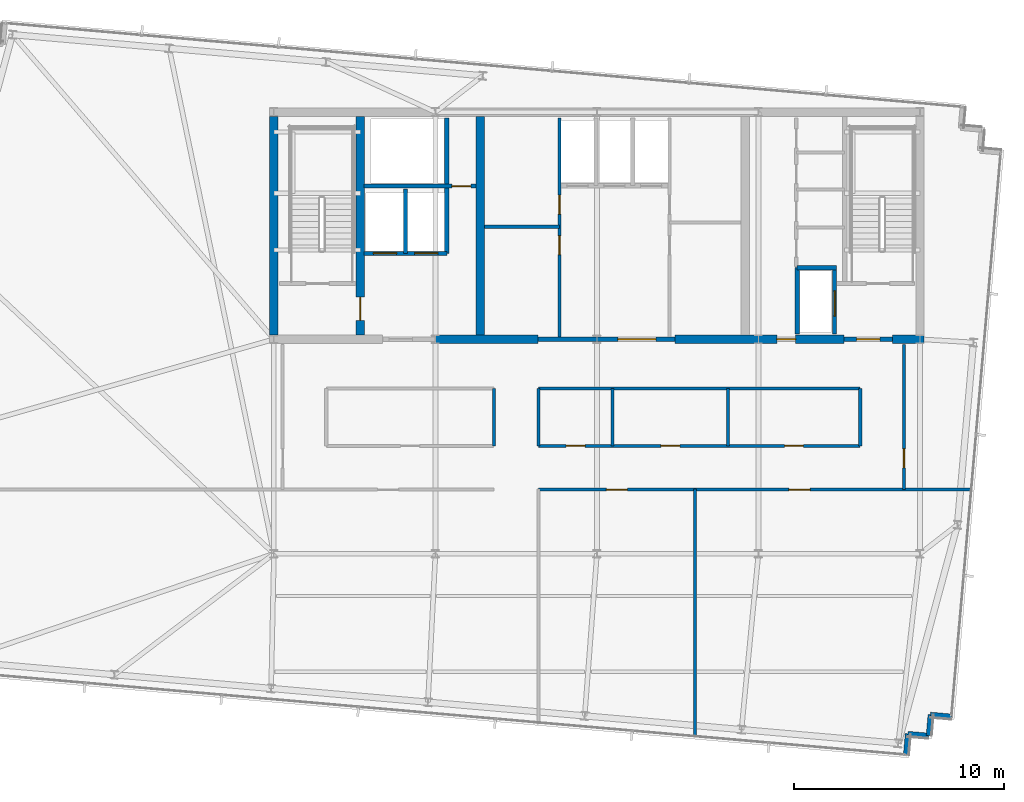
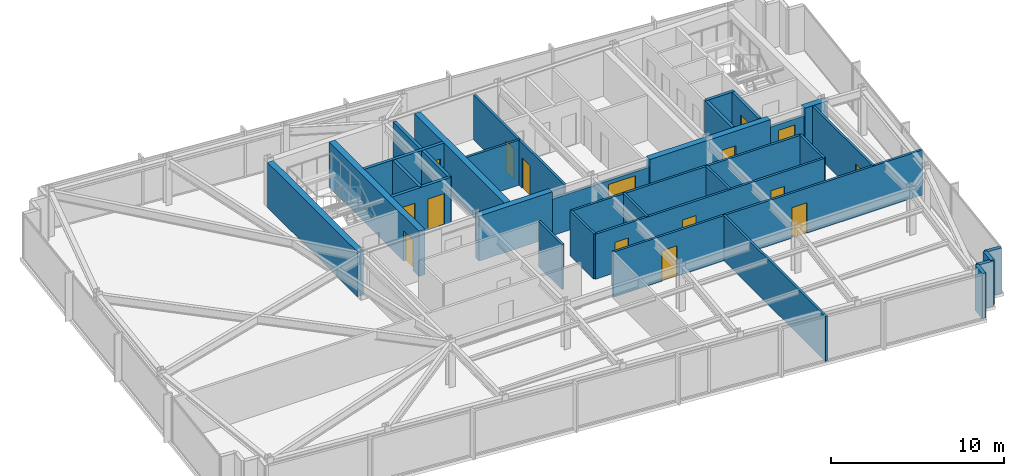
# One storey, part 27 of 32: 31 walls, 16 doors, 16 openings.
"""IFC4 building model written with IfcOpenShell, lengths in metres."""

from ifc_helpers import new_model, si_unit, direction, frame, frame_2d, origin, place, context, subcontext, project, spatial, rectangle, extrude, material, layer, layer_set, type_object, element, fill, save


model = new_model("IFC4")

# Units and contexts
model_context = context("Model", 3, precision=1e-05, world=origin(), true_north=direction((0.0, 1.0)))
body_context = subcontext(model_context, "Body", "Model", "MODEL_VIEW")
ifc_project = project(units=[si_unit("LENGTHUNIT", "METRE"), si_unit("AREAUNIT", "SQUARE_METRE"), si_unit("VOLUMEUNIT", "CUBIC_METRE"), si_unit("PLANEANGLEUNIT", "RADIAN"), si_unit("MASSUNIT", "GRAM", prefix="KILO")], contexts=[model_context])

# Site, building, storey
site_placement = place(None, origin())
site = spatial("IfcSite", under=ifc_project, at=site_placement, CompositionType="ELEMENT")
building_placement = place(site_placement, origin())
building = spatial("IfcBuilding", under=site, at=building_placement, Name="Yelkora Congress Tower", CompositionType="ELEMENT")
storey_placement = place(building_placement, frame((0.0, 0.0, 272.699951171875)))
storey = spatial("IfcBuildingStorey", under=building, at=storey_placement, Name="L76", CompositionType="ELEMENT", Elevation=272.699951171875)

# Wall
ifc_material_1 = material(Name="Concrete C50/60", Category="concrete")
ifc_layer_1 = layer(ifc_material_1, 0.39990234375)
ifc_layer_set_1 = layer_set([ifc_layer_1], Name="Concrete C50/60")
wall_type_1 = type_object("IfcWallType", Name="WALL-CORE-INT-400", PredefinedType="SHEAR", material=ifc_layer_set_1)
wall_1_placement = place(storey_placement, frame((30.719970703125, 35.39990234375, 0.0), z_axis=(0.0, 0.0, 1.0), x_axis=(1.0, 0.0, 0.0)))
element("IfcWall", 1, at=wall_1_placement, inside=storey, type_object=wall_type_1, Name="L76 Rear Core South-Center Shear Pier", PredefinedType="SHEAR", context=body_context, shape_type="SweptSolid", body=[
    extrude(rectangle(XDim=4.880126953125, YDim=0.39990234375, at=frame_2d((2.43994140625, 0.0))), origin(), (0.0, 0.0, 1.0), 3.179931640625),
])

# Wall, opening, door
wall_2_placement = place(storey_placement, frame((42.10009765625, 35.39990234375, 0.0), z_axis=(0.0, 0.0, 1.0), x_axis=(1.0, 0.0, 0.0)))
wall_2 = element("IfcWall", 2, at=wall_2_placement, inside=storey, type_object=wall_type_1, Name="L76 Rear Core South-East Shear Wall A", PredefinedType="SHEAR", context=body_context, shape_type="SweptSolid", body=[
    extrude(rectangle(XDim=8.0498046875, YDim=0.39990234375, at=frame_2d((4.02490234375, 0.0))), origin(), (0.0, 0.0, 1.0), 3.179931640625),
])
opening_1_placement = place(wall_2_placement, frame((4.85009765625, 0.0, 0.0)))
opening_1 = element("IfcOpeningElement", 3, at=opening_1_placement, cuts=wall_2, Name="Opening DR-090F6", PredefinedType="OPENING", context=body_context, shape_type="SweptSolid", body=[
    extrude(rectangle(XDim=0.89990234375, YDim=2.14990234375, at=frame_2d((0.449951171875, 1.074951171875))), frame((0.0, 0.2099609375, 0.0), z_axis=(0.0, -1.0, 0.0), x_axis=(1.0, 0.0, 0.0)), (0.0, 0.0, 1.0), 0.419921875),
])
ifc_material_2 = material(Name="Painted steel riser fire door leaf", Category="steel")
door_type_1 = type_object("IfcDoorType", Name="DOOR-FD60-900", OperationType="NOTDEFINED", PredefinedType="DOOR", material=ifc_material_2)
door_1_placement = place(opening_1_placement, origin())
door_1 = element("IfcDoor", 4, at=door_1_placement, inside=storey, type_object=door_type_1, Name="L76 Core Washroom Lobby Door", OperationType="SINGLE_SWING_RIGHT", OverallHeight=2.14990234375, OverallWidth=0.89990234375, PredefinedType="DOOR", context=body_context, shape_type="SweptSolid", body=[
    extrude(rectangle(XDim=0.89990234375, YDim=2.14990234375, at=frame_2d((0.449951171875, 1.074951171875))), frame((0.0, 0.02490234375, 0.0), z_axis=(0.0, -1.0, 0.0), x_axis=(1.0, 0.0, 0.0)), (0.0, 0.0, 1.0), 0.050048828125),
])
fill(opening_1, door_1)

# Walls
wall_3_placement = place(storey_placement, frame((52.449951171875, 35.39990234375, 0.0), z_axis=(0.0, 0.0, 1.0), x_axis=(1.0, 0.0, 0.0)))
element("IfcWall", 5, at=wall_3_placement, inside=storey, type_object=wall_type_1, Name="L76 Rear Core South-East Shear Wall B", PredefinedType="SHEAR", context=body_context, shape_type="SweptSolid", body=[
    extrude(rectangle(XDim=1.510009765625, YDim=0.39990234375, at=frame_2d((0.7548828125, 0.0))), origin(), (0.0, 0.0, 1.0), 3.179931640625),
])
wall_4_placement = place(storey_placement, frame((23.0400390625, 35.60009765625, 0.0), z_axis=(0.0, 0.0, 1.0), x_axis=(0.0, 1.0, 0.0)))
element("IfcWall", 6, at=wall_4_placement, inside=storey, type_object=wall_type_1, Name="L76 Rear Core Cross Shear Wall W", PredefinedType="SHEAR", context=body_context, shape_type="SweptSolid", body=[
    extrude(rectangle(XDim=10.39990234375, YDim=0.39990234375, at=frame_2d((5.199951171875, 0.0))), origin(), (0.0, 0.0, 1.0), 3.179931640625),
])

# Wall, opening, door
wall_5_placement = place(storey_placement, frame((27.14990234375, 35.60009765625, 0.0), z_axis=(0.0, 0.0, 1.0), x_axis=(0.0, 1.0, 0.0)))
wall_5 = element("IfcWall", 7, at=wall_5_placement, inside=storey, type_object=wall_type_1, Name="L76 Rear Core Cross Shear Wall C1", PredefinedType="SHEAR", context=body_context, shape_type="SweptSolid", body=[
    extrude(rectangle(XDim=10.39990234375, YDim=0.39990234375, at=frame_2d((5.199951171875, 0.0))), origin(), (0.0, 0.0, 1.0), 3.179931640625),
])
opening_2_placement = place(wall_5_placement, frame((0.699951171875, 0.0, 0.0)))
opening_2 = element("IfcOpeningElement", 8, at=opening_2_placement, cuts=wall_5, Name="Opening DR-110F9", PredefinedType="OPENING", context=body_context, shape_type="SweptSolid", body=[
    extrude(rectangle(XDim=1.10009765625, YDim=2.14990234375, at=frame_2d((0.550048828125, 1.074951171875))), frame((0.0, 0.2099609375, 0.0), z_axis=(0.0, -1.0, 0.0), x_axis=(1.0, 0.0, 0.0)), (0.0, 0.0, 1.0), 0.419921875),
])
ifc_material_3 = material(Name="Galvanised steel fire door leaf", Category="steel")
door_type_2 = type_object("IfcDoorType", Name="DOOR-FD90-1100", OperationType="NOTDEFINED", PredefinedType="DOOR", material=ifc_material_3)
door_2_placement = place(opening_2_placement, origin())
door_2 = element("IfcDoor", 9, at=door_2_placement, inside=storey, type_object=door_type_2, Name="L76 Firefighting Stair Transfer Door", OperationType="SINGLE_SWING_LEFT", OverallHeight=2.14990234375, OverallWidth=1.10009765625, PredefinedType="DOOR", context=body_context, shape_type="SweptSolid", body=[
    extrude(rectangle(XDim=1.10009765625, YDim=2.14990234375, at=frame_2d((0.550048828125, 1.074951171875))), frame((0.0, 0.02490234375, 0.0), z_axis=(0.0, -1.0, 0.0), x_axis=(1.0, 0.0, 0.0)), (0.0, 0.0, 1.0), 0.050048828125),
])
fill(opening_2, door_2)

# Walls
wall_6_placement = place(storey_placement, frame((32.85009765625, 35.60009765625, 0.0), z_axis=(0.0, 0.0, 1.0), x_axis=(0.0, 1.0, 0.0)))
element("IfcWall", 10, at=wall_6_placement, inside=storey, type_object=wall_type_1, Name="L76 Rear Core Cross Shear Wall C2", PredefinedType="SHEAR", context=body_context, shape_type="SweptSolid", body=[
    extrude(rectangle(XDim=10.39990234375, YDim=0.39990234375, at=frame_2d((5.199951171875, 0.0))), origin(), (0.0, 0.0, 1.0), 3.179931640625),
])
ifc_material_4 = material(Name="Concrete C40/50", Category="concrete")
ifc_layer_2 = layer(ifc_material_4, 0.239990234375)
ifc_layer_set_2 = layer_set([ifc_layer_2], Name="Concrete C40/50")
wall_type_2 = type_object("IfcWallType", Name="WALL-EXT-LIMESTONE-240", PredefinedType="SOLIDWALL", material=ifc_layer_set_2)
for number, where, z_axis, x_axis, name in (
    (11, (55.2578125, 17.458740234375, 0.0), (0.0, 0.0, 1.0), (-0.996193717496, 0.087166950281, 0.0), "L76 Serrated Corner Limestone Pier 16"),
    (12, (54.26171875, 17.5458984375, 0.0), (0.0, 0.0, 1.0), (-0.087166950281, -0.996193717496, 0.0), "L76 Serrated Corner Limestone Pier 17"),
):
    element("IfcWall", number, at=place(storey_placement, frame(where, z_axis=z_axis, x_axis=x_axis)), inside=storey, type_object=wall_type_2, Name=name, PredefinedType="SOLIDWALL", context=body_context, shape_type="SweptSolid", body=[
        extrude(rectangle(XDim=1.0, YDim=0.239990234375, at=frame_2d((0.5, 0.0))), origin(), (0.0, 0.0, 1.0), 3.179931640625),
    ])
for number, where, z_axis, x_axis, name in (
    (13, (54.174560546875, 16.5498046875, 0.0), (0.0, 0.0, 1.0), (-0.996195572005, 0.087145753297, 0.0), "L76 Serrated Corner Limestone Pier 18"),
    (14, (53.17822265625, 16.636962890625, 0.0), (0.0, 0.0, 1.0), (-0.087145753297, -0.996195572005, 0.0), "L76 Serrated Corner Limestone Pier 19"),
):
    element("IfcWall", number, at=place(storey_placement, frame(where, z_axis=z_axis, x_axis=x_axis)), inside=storey, type_object=wall_type_2, Name=name, PredefinedType="SOLIDWALL", context=body_context, shape_type="SweptSolid", body=[
        extrude(rectangle(XDim=1.000244140625, YDim=0.239990234375, at=frame_2d((0.5, 0.0))), origin(), (0.0, 0.0, 1.0), 3.179931640625),
    ])
ifc_material_5 = material(Name="Acoustic metal-stud gypsum partition", Category="gypsum")
ifc_layer_3 = layer(ifc_material_5, 0.14990234375)
ifc_layer_set_3 = layer_set([ifc_layer_3], Name="Acoustic metal-stud gypsum partition")
wall_type_3 = type_object("IfcWallType", Name="WALL-INT-150-NR", PredefinedType="PARTITIONING", material=ifc_layer_set_3)
wall_7_placement = place(storey_placement, frame((43.06201171875, 16.4580078125, 0.0), z_axis=(0.0, 0.0, 1.0), x_axis=(0.0, 1.0, 0.0)))
element("IfcWall", 15, at=wall_7_placement, inside=storey, type_object=wall_type_3, Name="L76 Partition Wall 25", PredefinedType="PARTITIONING", context=body_context, shape_type="SweptSolid", body=[
    extrude(rectangle(XDim=11.81201171875, YDim=0.14990234375, at=frame_2d((5.906005859375, 0.0))), origin(), (0.0, 0.0, 1.0), 3.179931640625),
])

# Wall, openings, doors
wall_8_placement = place(storey_placement, frame((35.6201171875, 28.25, 0.0), z_axis=(0.0, 0.0, 1.0), x_axis=(1.0, 0.0, 0.0)))
wall_8 = element("IfcWall", 16, at=wall_8_placement, inside=storey, type_object=wall_type_3, Name="L76 South Spine Wall East", PredefinedType="PARTITIONING", context=body_context, shape_type="SweptSolid", body=[
    extrude(rectangle(XDim=20.64208984375, YDim=0.14990234375, at=frame_2d((10.321044921875, 0.0))), origin(), (0.0, 0.0, 1.0), 3.179931640625),
])
opening_3_placement = place(wall_8_placement, frame((3.22607421875, 0.0, 0.0)))
opening_3 = element("IfcOpeningElement", 17, at=opening_3_placement, cuts=wall_8, Name="Opening DR-100N", PredefinedType="OPENING", context=body_context, shape_type="SweptSolid", body=[
    extrude(rectangle(XDim=1.0, YDim=2.14990234375, at=frame_2d((0.5, 1.074951171875))), frame((0.0, 0.0849609375, 0.0), z_axis=(0.0, -1.0, 0.0), x_axis=(1.0, 0.0, 0.0)), (0.0, 0.0, 1.0), 0.169921875),
])
opening_4_placement = place(wall_8_placement, frame((11.910888671875, 0.0, 0.0)))
opening_4 = element("IfcOpeningElement", 18, at=opening_4_placement, cuts=wall_8, Name="Opening DR-100N", PredefinedType="OPENING", context=body_context, shape_type="SweptSolid", body=[
    extrude(rectangle(XDim=1.0, YDim=2.14990234375, at=frame_2d((0.5, 1.074951171875))), frame((0.0, 0.0849609375, 0.0), z_axis=(0.0, -1.0, 0.0), x_axis=(1.0, 0.0, 0.0)), (0.0, 0.0, 1.0), 0.169921875),
])
ifc_material_6 = material(Name="Solid-core Anatolian oak veneer door", Category="wood")
door_type_3 = type_object("IfcDoorType", Name="DOOR-INT-1000", OperationType="NOTDEFINED", PredefinedType="DOOR", material=ifc_material_6)
door_3_placement = place(opening_3_placement, origin())
door_3 = element("IfcDoor", 19, at=door_3_placement, inside=storey, type_object=door_type_3, Name="L76 Conference Hall Door", OperationType="SINGLE_SWING_RIGHT", OverallHeight=2.14990234375, OverallWidth=1.0, PredefinedType="DOOR", context=body_context, shape_type="SweptSolid", body=[
    extrude(rectangle(XDim=1.0, YDim=2.14990234375, at=frame_2d((0.5, 1.074951171875))), frame((0.0, 0.02490234375, 0.0), z_axis=(0.0, -1.0, 0.0), x_axis=(1.0, 0.0, 0.0)), (0.0, 0.0, 1.0), 0.050048828125),
])
fill(opening_3, door_3)
door_4_placement = place(opening_4_placement, origin())
door_4 = element("IfcDoor", 20, at=door_4_placement, inside=storey, type_object=door_type_3, Name="L76 Living & Reading Lounge Door", OperationType="SINGLE_SWING_LEFT", OverallHeight=2.14990234375, OverallWidth=1.0, PredefinedType="DOOR", context=body_context, shape_type="SweptSolid", body=[
    extrude(rectangle(XDim=1.0, YDim=2.14990234375, at=frame_2d((0.5, 1.074951171875))), frame((0.0, 0.02490234375, 0.0), z_axis=(0.0, -1.0, 0.0), x_axis=(1.0, 0.0, 0.0)), (0.0, 0.0, 1.0), 0.050048828125),
])
fill(opening_4, door_4)

# Wall, opening, door
wall_9_placement = place(storey_placement, frame((53.0, 28.25, 0.0), z_axis=(0.0, 0.0, 1.0), x_axis=(0.0, 1.0, 0.0)))
wall_9 = element("IfcWall", 21, at=wall_9_placement, inside=storey, type_object=wall_type_3, Name="L76 Partition Wall 29", PredefinedType="PARTITIONING", context=body_context, shape_type="SweptSolid", body=[
    extrude(rectangle(XDim=6.889892578125, YDim=0.14990234375, at=frame_2d((3.44482421875, 0.0))), origin(), (0.0, 0.0, 1.0), 3.179931640625),
])
opening_5_placement = place(wall_9_placement, frame((1.030029296875, 0.0, 0.0)))
opening_5 = element("IfcOpeningElement", 22, at=opening_5_placement, cuts=wall_9, Name="Opening DR-090N", PredefinedType="OPENING", context=body_context, shape_type="SweptSolid", body=[
    extrude(rectangle(XDim=0.89990234375, YDim=2.14990234375, at=frame_2d((0.449951171875, 1.074951171875))), frame((0.0, 0.0849609375, 0.0), z_axis=(0.0, -1.0, 0.0), x_axis=(1.0, 0.0, 0.0)), (0.0, 0.0, 1.0), 0.169921875),
])
ifc_material_7 = material(Name="Moisture-resistant laminate door leaf", Category="wood")
door_type_4 = type_object("IfcDoorType", Name="DOOR-INT-900", OperationType="NOTDEFINED", PredefinedType="DOOR", material=ifc_material_7)
door_5_placement = place(opening_5_placement, origin())
door_5 = element("IfcDoor", 23, at=door_5_placement, inside=storey, type_object=door_type_4, Name="L76 E Wing Door", OperationType="SINGLE_SWING_LEFT", OverallHeight=2.14990234375, OverallWidth=0.89990234375, PredefinedType="DOOR", context=body_context, shape_type="SweptSolid", body=[
    extrude(rectangle(XDim=0.89990234375, YDim=2.14990234375, at=frame_2d((0.449951171875, 1.074951171875))), frame((0.0, 0.02490234375, 0.0), z_axis=(0.0, -1.0, 0.0), x_axis=(1.0, 0.0, 0.0)), (0.0, 0.0, 1.0), 0.050048828125),
])
fill(opening_5, door_5)

# Walls
for number, where, z_axis, x_axis, name in (
    (24, (50.919921875, 30.330078125, 0.0), (0.0, 0.0, 1.0), (0.0, 1.0, 0.0), "L76 Partition Wall 31"),
    (25, (33.5, 30.330078125, 0.0), (0.0, 0.0, 1.0), (0.0, 1.0, 0.0), "L76 Partition Wall 32"),
    (26, (35.6201171875, 30.330078125, 0.0), (0.0, 0.0, 1.0), (0.0, 1.0, 0.0), "L76 Partition Wall 33"),
):
    element("IfcWall", number, at=place(storey_placement, frame(where, z_axis=z_axis, x_axis=x_axis)), inside=storey, type_object=wall_type_3, Name=name, PredefinedType="PARTITIONING", context=body_context, shape_type="SweptSolid", body=[
        extrude(rectangle(XDim=2.719970703125, YDim=0.14990234375, at=frame_2d((1.35986328125, 0.0))), origin(), (0.0, 0.0, 1.0), 3.179931640625),
    ])
wall_10_placement = place(storey_placement, frame((35.6201171875, 33.050048828125, 0.0), z_axis=(0.0, 0.0, 1.0), x_axis=(1.0, 0.0, 0.0)))
element("IfcWall", 27, at=wall_10_placement, inside=storey, type_object=wall_type_3, Name="L76 Partition Wall 35", PredefinedType="PARTITIONING", context=body_context, shape_type="SweptSolid", body=[
    extrude(rectangle(XDim=15.2998046875, YDim=0.14990234375, at=frame_2d((7.64990234375, 0.0))), origin(), (0.0, 0.0, 1.0), 3.179931640625),
])
for number, where, z_axis, x_axis, name in (
    (28, (39.14208984375, 30.330078125, 0.0), (0.0, 0.0, 1.0), (0.0, 1.0, 0.0), "L76 Partition Wall 37"),
    (29, (44.638916015625, 30.330078125, 0.0), (0.0, 0.0, 1.0), (0.0, 1.0, 0.0), "L76 Partition Wall 38"),
):
    element("IfcWall", number, at=place(storey_placement, frame(where, z_axis=z_axis, x_axis=x_axis)), inside=storey, type_object=wall_type_3, Name=name, PredefinedType="PARTITIONING", context=body_context, shape_type="SweptSolid", body=[
        extrude(rectangle(XDim=2.719970703125, YDim=0.14990234375, at=frame_2d((1.35986328125, 0.0))), origin(), (0.0, 0.0, 1.0), 3.179931640625),
    ])

# Wall, openings, doors
wall_11_placement = place(storey_placement, frame((35.6298828125, 30.330078125, 0.0), z_axis=(0.0, 0.0, 1.0), x_axis=(1.0, 0.0, 0.0)))
wall_11 = element("IfcWall", 30, at=wall_11_placement, inside=storey, type_object=wall_type_3, Name="L76 Partition Wall 39", PredefinedType="PARTITIONING", context=body_context, shape_type="SweptSolid", body=[
    extrude(rectangle(XDim=15.27001953125, YDim=0.14990234375, at=frame_2d((7.635009765625, 0.0))), origin(), (0.0, 0.0, 1.0), 3.179931640625),
])
opening_6_placement = place(wall_11_placement, frame((1.305908203125, 0.0, 0.0)))
opening_6 = element("IfcOpeningElement", 31, at=opening_6_placement, cuts=wall_11, Name="Opening DR-090N", PredefinedType="OPENING", context=body_context, shape_type="SweptSolid", body=[
    extrude(rectangle(XDim=0.89990234375, YDim=2.14990234375, at=frame_2d((0.449951171875, 1.074951171875))), frame((0.0, 0.0849609375, 0.0), z_axis=(0.0, -1.0, 0.0), x_axis=(1.0, 0.0, 0.0)), (0.0, 0.0, 1.0), 0.169921875),
])
opening_7_placement = place(wall_11_placement, frame((5.810546875, 0.0, 0.0)))
opening_7 = element("IfcOpeningElement", 32, at=opening_7_placement, cuts=wall_11, Name="Opening DR-090N", PredefinedType="OPENING", context=body_context, shape_type="SweptSolid", body=[
    extrude(rectangle(XDim=0.89990234375, YDim=2.14990234375, at=frame_2d((0.449951171875, 1.074951171875))), frame((0.0, 0.0849609375, 0.0), z_axis=(0.0, -1.0, 0.0), x_axis=(1.0, 0.0, 0.0)), (0.0, 0.0, 1.0), 0.169921875),
])
opening_8_placement = place(wall_11_placement, frame((11.689453125, 0.0, 0.0)))
opening_8 = element("IfcOpeningElement", 33, at=opening_8_placement, cuts=wall_11, Name="Opening DR-090N", PredefinedType="OPENING", context=body_context, shape_type="SweptSolid", body=[
    extrude(rectangle(XDim=0.89990234375, YDim=2.14990234375, at=frame_2d((0.449951171875, 1.074951171875))), frame((0.0, 0.0849609375, 0.0), z_axis=(0.0, -1.0, 0.0), x_axis=(1.0, 0.0, 0.0)), (0.0, 0.0, 1.0), 0.169921875),
])
door_6_placement = place(opening_6_placement, origin())
door_6 = element("IfcDoor", 34, at=door_6_placement, inside=storey, type_object=door_type_4, Name="L76 Huddle Seminar Room Door", OperationType="SINGLE_SWING_LEFT", OverallHeight=2.14990234375, OverallWidth=0.89990234375, PredefinedType="DOOR", context=body_context, shape_type="SweptSolid", body=[
    extrude(rectangle(XDim=0.89990234375, YDim=2.14990234375, at=frame_2d((0.449951171875, 1.074951171875))), frame((0.0, 0.02490234375, 0.0), z_axis=(0.0, -1.0, 0.0), x_axis=(1.0, 0.0, 0.0)), (0.0, 0.0, 1.0), 0.050048828125),
])
fill(opening_6, door_6)
door_7_placement = place(opening_7_placement, origin())
door_7 = element("IfcDoor", 35, at=door_7_placement, inside=storey, type_object=door_type_4, Name="L76 Breakout Training Room Door", OperationType="SINGLE_SWING_RIGHT", OverallHeight=2.14990234375, OverallWidth=0.89990234375, PredefinedType="DOOR", context=body_context, shape_type="SweptSolid", body=[
    extrude(rectangle(XDim=0.89990234375, YDim=2.14990234375, at=frame_2d((0.449951171875, 1.074951171875))), frame((0.0, 0.02490234375, 0.0), z_axis=(0.0, -1.0, 0.0), x_axis=(1.0, 0.0, 0.0)), (0.0, 0.0, 1.0), 0.050048828125),
])
fill(opening_7, door_7)
door_8_placement = place(opening_8_placement, origin())
door_8 = element("IfcDoor", 36, at=door_8_placement, inside=storey, type_object=door_type_4, Name="L76 Executive Boardroom Door", OperationType="SINGLE_SWING_LEFT", OverallHeight=2.14990234375, OverallWidth=0.89990234375, PredefinedType="DOOR", context=body_context, shape_type="SweptSolid", body=[
    extrude(rectangle(XDim=0.89990234375, YDim=2.14990234375, at=frame_2d((0.449951171875, 1.074951171875))), frame((0.0, 0.02490234375, 0.0), z_axis=(0.0, -1.0, 0.0), x_axis=(1.0, 0.0, 0.0)), (0.0, 0.0, 1.0), 0.050048828125),
])
fill(opening_8, door_8)

# Wall
ifc_material_8 = material(Name="Twin-stud fire-rated gypsum partition", Category="gypsum")
ifc_layer_4 = layer(ifc_material_8, 0.14990234375)
ifc_layer_set_4 = layer_set([ifc_layer_4], Name="Twin-stud fire-rated gypsum partition")
wall_type_4 = type_object("IfcWallType", Name="WALL-INT-150-R60", PredefinedType="PARTITIONING", material=ifc_layer_set_4)
wall_12_placement = place(storey_placement, frame((33.050048828125, 40.75, 0.0), z_axis=(0.0, 0.0, 1.0), x_axis=(1.0, 0.0, 0.0)))
element("IfcWall", 37, at=wall_12_placement, inside=storey, type_object=wall_type_4, Name="L76 Partition Wall 11", PredefinedType="PARTITIONING", context=body_context, shape_type="SweptSolid", body=[
    extrude(rectangle(XDim=3.570068359375, YDim=0.14990234375, at=frame_2d((1.78515625, 0.0))), origin(), (0.0, 0.0, 1.0), 3.179931640625),
])

# Wall, openings, doors
wall_13_placement = place(storey_placement, frame((36.6201171875, 35.5, 0.0), z_axis=(0.0, 0.0, 1.0), x_axis=(0.0, 1.0, 0.0)))
wall_13 = element("IfcWall", 38, at=wall_13_placement, inside=storey, type_object=wall_type_4, Name="L76 Partition Wall 12", PredefinedType="PARTITIONING", context=body_context, shape_type="SweptSolid", body=[
    extrude(rectangle(XDim=10.419921875, YDim=0.14990234375, at=frame_2d((5.2099609375, 0.0))), origin(), (0.0, 0.0, 1.0), 3.179931640625),
])
opening_9_placement = place(wall_13_placement, frame((3.919921875, 0.0, 0.0)))
opening_9 = element("IfcOpeningElement", 39, at=opening_9_placement, cuts=wall_13, Name="Opening DR-090F6", PredefinedType="OPENING", context=body_context, shape_type="SweptSolid", body=[
    extrude(rectangle(XDim=0.89990234375, YDim=2.14990234375, at=frame_2d((0.449951171875, 1.074951171875))), frame((0.0, 0.0849609375, 0.0), z_axis=(0.0, -1.0, 0.0), x_axis=(1.0, 0.0, 0.0)), (0.0, 0.0, 1.0), 0.169921875),
])
opening_10_placement = place(wall_13_placement, frame((5.85009765625, 0.0, 0.0)))
opening_10 = element("IfcOpeningElement", 40, at=opening_10_placement, cuts=wall_13, Name="Opening DR-090F6", PredefinedType="OPENING", context=body_context, shape_type="SweptSolid", body=[
    extrude(rectangle(XDim=0.89990234375, YDim=2.14990234375, at=frame_2d((0.449951171875, 1.074951171875))), frame((0.0, 0.0849609375, 0.0), z_axis=(0.0, -1.0, 0.0), x_axis=(1.0, 0.0, 0.0)), (0.0, 0.0, 1.0), 0.169921875),
])
door_9_placement = place(opening_9_placement, origin())
door_9 = element("IfcDoor", 41, at=door_9_placement, inside=storey, type_object=door_type_1, Name="L76 Telecom Store Door", OperationType="SINGLE_SWING_RIGHT", OverallHeight=2.14990234375, OverallWidth=0.89990234375, PredefinedType="DOOR", context=body_context, shape_type="SweptSolid", body=[
    extrude(rectangle(XDim=0.89990234375, YDim=2.14990234375, at=frame_2d((0.449951171875, 1.074951171875))), frame((0.0, 0.02490234375, 0.0), z_axis=(0.0, -1.0, 0.0), x_axis=(1.0, 0.0, 0.0)), (0.0, 0.0, 1.0), 0.050048828125),
])
fill(opening_9, door_9)
door_10_placement = place(opening_10_placement, origin())
door_10 = element("IfcDoor", 42, at=door_10_placement, inside=storey, type_object=door_type_1, Name="L76 Archive Store Door", OperationType="SINGLE_SWING_LEFT", OverallHeight=2.14990234375, OverallWidth=0.89990234375, PredefinedType="DOOR", context=body_context, shape_type="SweptSolid", body=[
    extrude(rectangle(XDim=0.89990234375, YDim=2.14990234375, at=frame_2d((0.449951171875, 1.074951171875))), frame((0.0, 0.02490234375, 0.0), z_axis=(0.0, -1.0, 0.0), x_axis=(1.0, 0.0, 0.0)), (0.0, 0.0, 1.0), 0.050048828125),
])
fill(opening_10, door_10)

ifc_material_9 = material(Name="Autoclaved aerated concrete blockwork", Category="masonry")
ifc_layer_5 = layer(ifc_material_9, 0.199951171875)
ifc_layer_set_5 = layer_set([ifc_layer_5], Name="Autoclaved aerated concrete blockwork")
wall_type_5 = type_object("IfcWallType", Name="WALL-INT-200-R120", PredefinedType="PARTITIONING", material=ifc_layer_set_5)
wall_14_placement = place(storey_placement, frame((27.320068359375, 39.47998046875, 0.0), z_axis=(0.0, 0.0, 1.0), x_axis=(1.0, 0.0, 0.0)))
wall_14 = element("IfcWall", 43, at=wall_14_placement, inside=storey, type_object=wall_type_5, Name="L76 Firefighting Lift Front Wall", PredefinedType="PARTITIONING", context=body_context, shape_type="SweptSolid", body=[
    extrude(rectangle(XDim=3.93994140625, YDim=0.199951171875, at=frame_2d((1.969970703125, 0.0))), origin(), (0.0, 0.0, 1.0), 3.179931640625),
])
opening_11_placement = place(wall_14_placement, frame((0.449951171875, 0.0, 0.0)))
opening_11 = element("IfcOpeningElement", 44, at=opening_11_placement, cuts=wall_14, Name="Opening LD-FF11", PredefinedType="OPENING", context=body_context, shape_type="SweptSolid", body=[
    extrude(rectangle(XDim=1.10009765625, YDim=2.199951171875, at=frame_2d((0.550048828125, 1.10009765625))), frame((0.0, 0.10986328125, 0.0), z_axis=(0.0, -1.0, 0.0), x_axis=(1.0, 0.0, 0.0)), (0.0, 0.0, 1.0), 0.219970703125),
])
opening_12_placement = place(wall_14_placement, frame((2.409912109375, 0.0, 0.0)))
opening_12 = element("IfcOpeningElement", 45, at=opening_12_placement, cuts=wall_14, Name="Opening LD-FF11", PredefinedType="OPENING", context=body_context, shape_type="SweptSolid", body=[
    extrude(rectangle(XDim=1.10009765625, YDim=2.199951171875, at=frame_2d((0.550048828125, 1.10009765625))), frame((0.0, 0.10986328125, 0.0), z_axis=(0.0, -1.0, 0.0), x_axis=(1.0, 0.0, 0.0)), (0.0, 0.0, 1.0), 0.219970703125),
])
ifc_material_10 = material(Name="Brushed stainless steel 316L landing door", Category="steel")
door_type_5 = type_object("IfcDoorType", Name="DOOR-LIFT-FF-1100", OperationType="DOUBLE_DOOR_SLIDING", PredefinedType="DOOR", material=ifc_material_10)
door_11_placement = place(opening_11_placement, origin())
door_11 = element("IfcDoor", 46, at=door_11_placement, inside=storey, type_object=door_type_5, Name="Lift Landing Door LF-FF1 L76", OperationType="DOUBLE_DOOR_SLIDING", OverallHeight=2.199951171875, OverallWidth=1.10009765625, PredefinedType="DOOR", context=body_context, shape_type="SweptSolid", body=[
    extrude(rectangle(XDim=1.10009765625, YDim=2.199951171875, at=frame_2d((0.550048828125, 1.10009765625))), frame((0.0, 0.02490234375, 0.0), z_axis=(0.0, -1.0, 0.0), x_axis=(1.0, 0.0, 0.0)), (0.0, 0.0, 1.0), 0.050048828125),
])
fill(opening_11, door_11)
door_12_placement = place(opening_12_placement, origin())
door_12 = element("IfcDoor", 47, at=door_12_placement, inside=storey, type_object=door_type_5, Name="Lift Landing Door LF-FF2 L76", OperationType="DOUBLE_DOOR_SLIDING", OverallHeight=2.199951171875, OverallWidth=1.10009765625, PredefinedType="DOOR", context=body_context, shape_type="SweptSolid", body=[
    extrude(rectangle(XDim=1.10009765625, YDim=2.199951171875, at=frame_2d((0.550048828125, 1.10009765625))), frame((0.0, 0.02490234375, 0.0), z_axis=(0.0, -1.0, 0.0), x_axis=(1.0, 0.0, 0.0)), (0.0, 0.0, 1.0), 0.050048828125),
])
fill(opening_12, door_12)

# Walls
wall_15_placement = place(storey_placement, frame((29.300048828125, 39.47998046875, 0.0), z_axis=(0.0, 0.0, 1.0), x_axis=(0.0, 1.0, 0.0)))
element("IfcWall", 48, at=wall_15_placement, inside=storey, type_object=wall_type_5, Name="L76 Partition Wall 4", PredefinedType="PARTITIONING", context=body_context, shape_type="SweptSolid", body=[
    extrude(rectangle(XDim=3.070068359375, YDim=0.199951171875, at=frame_2d((1.53515625, 0.0))), origin(), (0.0, 0.0, 1.0), 3.179931640625),
])
wall_16_placement = place(storey_placement, frame((31.260009765625, 39.47998046875, 0.0), z_axis=(0.0, 0.0, 1.0), x_axis=(0.0, 1.0, 0.0)))
element("IfcWall", 49, at=wall_16_placement, inside=storey, type_object=wall_type_5, Name="L76 Partition Wall 5", PredefinedType="PARTITIONING", context=body_context, shape_type="SweptSolid", body=[
    extrude(rectangle(XDim=6.43994140625, YDim=0.199951171875, at=frame_2d((3.219970703125, 0.0))), origin(), (0.0, 0.0, 1.0), 3.179931640625),
])

# Wall, opening, door
wall_17_placement = place(storey_placement, frame((27.320068359375, 42.679931640625, 0.0), z_axis=(0.0, 0.0, 1.0), x_axis=(1.0, 0.0, 0.0)))
wall_17 = element("IfcWall", 50, at=wall_17_placement, inside=storey, type_object=wall_type_5, Name="L76 Smoke Riser South Wall", PredefinedType="PARTITIONING", context=body_context, shape_type="SweptSolid", body=[
    extrude(rectangle(XDim=5.329833984375, YDim=0.199951171875, at=frame_2d((2.6650390625, 0.0))), origin(), (0.0, 0.0, 1.0), 3.179931640625),
])
opening_13_placement = place(wall_17_placement, frame((4.179931640625, 0.0, 0.0)))
opening_13 = element("IfcOpeningElement", 51, at=opening_13_placement, cuts=wall_17, Name="Opening DR-090F6", PredefinedType="OPENING", context=body_context, shape_type="SweptSolid", body=[
    extrude(rectangle(XDim=0.89990234375, YDim=2.14990234375, at=frame_2d((0.449951171875, 1.074951171875))), frame((0.0, 0.10986328125, 0.0), z_axis=(0.0, -1.0, 0.0), x_axis=(1.0, 0.0, 0.0)), (0.0, 0.0, 1.0), 0.219970703125),
])
door_13_placement = place(opening_13_placement, origin())
door_13 = element("IfcDoor", 52, at=door_13_placement, inside=storey, type_object=door_type_1, Name="L76 Riser Access Door", OperationType="SINGLE_SWING_LEFT", OverallHeight=2.14990234375, OverallWidth=0.89990234375, PredefinedType="DOOR", context=body_context, shape_type="SweptSolid", body=[
    extrude(rectangle(XDim=0.89990234375, YDim=2.14990234375, at=frame_2d((0.449951171875, 1.074951171875))), frame((0.0, 0.02490234375, 0.0), z_axis=(0.0, -1.0, 0.0), x_axis=(1.0, 0.0, 0.0)), (0.0, 0.0, 1.0), 0.050048828125),
])
fill(opening_13, door_13)

wall_18_placement = place(storey_placement, frame((35.60009765625, 35.39990234375, 0.0), z_axis=(0.0, 0.0, 1.0), x_axis=(1.0, 0.0, 0.0)))
wall_18 = element("IfcWall", 53, at=wall_18_placement, inside=storey, type_object=wall_type_5, Name="L76 Main Lift Lobby South Portal Wall", PredefinedType="PARTITIONING", context=body_context, shape_type="SweptSolid", body=[
    extrude(rectangle(XDim=6.5, YDim=0.199951171875, at=frame_2d((3.25, 0.0))), origin(), (0.0, 0.0, 1.0), 2.574951171875),
])
opening_14_placement = place(wall_18_placement, frame((3.800048828125, 0.0, 0.0)))
opening_14 = element("IfcOpeningElement", 54, at=opening_14_placement, cuts=wall_18, Name="Opening DR-180D", PredefinedType="OPENING", context=body_context, shape_type="SweptSolid", body=[
    extrude(rectangle(XDim=1.800048828125, YDim=2.300048828125, at=frame_2d((0.89990234375, 1.14990234375))), frame((0.0, 0.10986328125, 0.0), z_axis=(0.0, -1.0, 0.0), x_axis=(1.0, 0.0, 0.0)), (0.0, 0.0, 1.0), 0.219970703125),
])
ifc_material_11 = material(Name="Acoustic double congress hall doors", Category="wood")
door_type_6 = type_object("IfcDoorType", Name="DOOR-DBL-1800", OperationType="DOUBLE_DOOR_SINGLE_SWING", PredefinedType="DOOR", material=ifc_material_11)
door_14_placement = place(opening_14_placement, origin())
door_14 = element("IfcDoor", 55, at=door_14_placement, inside=storey, type_object=door_type_6, Name="L76 Main Lift Lobby Portal Door", OperationType="DOUBLE_DOOR_SINGLE_SWING", OverallHeight=2.300048828125, OverallWidth=1.800048828125, PredefinedType="DOOR", context=body_context, shape_type="SweptSolid", body=[
    extrude(rectangle(XDim=1.800048828125, YDim=2.300048828125, at=frame_2d((0.89990234375, 1.14990234375))), frame((0.0, 0.02490234375, 0.0), z_axis=(0.0, -1.0, 0.0), x_axis=(1.0, 0.0, 0.0)), (0.0, 0.0, 1.0), 0.050048828125),
])
fill(opening_14, door_14)

wall_19_placement = place(storey_placement, frame((50.14990234375, 35.39990234375, 0.0), z_axis=(0.0, 0.0, 1.0), x_axis=(1.0, 0.0, 0.0)))
wall_19 = element("IfcWall", 56, at=wall_19_placement, inside=storey, type_object=wall_type_5, Name="L76 Partition Wall 16", PredefinedType="PARTITIONING", context=body_context, shape_type="SweptSolid", body=[
    extrude(rectangle(XDim=2.300048828125, YDim=0.199951171875, at=frame_2d((1.14990234375, 0.0))), origin(), (0.0, 0.0, 1.0), 2.574951171875),
])
opening_15_placement = place(wall_19_placement, frame((0.60009765625, 0.0, 0.0)))
opening_15 = element("IfcOpeningElement", 57, at=opening_15_placement, cuts=wall_19, Name="Opening DR-110F9", PredefinedType="OPENING", context=body_context, shape_type="SweptSolid", body=[
    extrude(rectangle(XDim=1.10009765625, YDim=2.14990234375, at=frame_2d((0.550048828125, 1.074951171875))), frame((0.0, 0.10986328125, 0.0), z_axis=(0.0, -1.0, 0.0), x_axis=(1.0, 0.0, 0.0)), (0.0, 0.0, 1.0), 0.219970703125),
])
door_15_placement = place(opening_15_placement, origin())
door_15 = element("IfcDoor", 58, at=door_15_placement, inside=storey, type_object=door_type_2, Name="L76 East Stair Lobby Door", OperationType="SINGLE_SWING_LEFT", OverallHeight=2.14990234375, OverallWidth=1.10009765625, PredefinedType="DOOR", context=body_context, shape_type="SweptSolid", body=[
    extrude(rectangle(XDim=1.10009765625, YDim=2.14990234375, at=frame_2d((0.550048828125, 1.074951171875))), frame((0.0, 0.02490234375, 0.0), z_axis=(0.0, -1.0, 0.0), x_axis=(1.0, 0.0, 0.0)), (0.0, 0.0, 1.0), 0.050048828125),
])
fill(opening_15, door_15)

wall_20_placement = place(storey_placement, frame((49.699951171875, 35.64990234375, 0.0), z_axis=(0.0, 0.0, 1.0), x_axis=(0.0, 1.0, 0.0)))
wall_20 = element("IfcWall", 59, at=wall_20_placement, inside=storey, type_object=wall_type_5, Name="L76 Partition Wall 17", PredefinedType="PARTITIONING", context=body_context, shape_type="SweptSolid", body=[
    extrude(rectangle(XDim=3.150146484375, YDim=0.199951171875, at=frame_2d((1.5751953125, 0.0))), origin(), (0.0, 0.0, 1.0), 3.179931640625),
])
opening_16_placement = place(wall_20_placement, frame((0.85009765625, 0.0, 0.0)))
opening_16 = element("IfcOpeningElement", 60, at=opening_16_placement, cuts=wall_20, Name="Opening LD-SV12", PredefinedType="OPENING", context=body_context, shape_type="SweptSolid", body=[
    extrude(rectangle(XDim=1.199951171875, YDim=2.199951171875, at=frame_2d((0.60009765625, 1.10009765625))), frame((0.0, 0.10986328125, 0.0), z_axis=(0.0, -1.0, 0.0), x_axis=(1.0, 0.0, 0.0)), (0.0, 0.0, 1.0), 0.219970703125),
])
ifc_material_12 = material(Name="Heavy-duty stainless steel landing door", Category="steel")
door_type_7 = type_object("IfcDoorType", Name="DOOR-LIFT-SRV-1200", OperationType="DOUBLE_DOOR_SLIDING", PredefinedType="DOOR", material=ifc_material_12)
door_16_placement = place(opening_16_placement, origin())
door_16 = element("IfcDoor", 61, at=door_16_placement, inside=storey, type_object=door_type_7, Name="Service Lift Landing Door LF-SV1 L76", OperationType="DOUBLE_DOOR_SLIDING", OverallHeight=2.199951171875, OverallWidth=1.199951171875, PredefinedType="DOOR", context=body_context, shape_type="SweptSolid", body=[
    extrude(rectangle(XDim=1.199951171875, YDim=2.199951171875, at=frame_2d((0.60009765625, 1.10009765625))), frame((0.0, 0.02490234375, 0.0), z_axis=(0.0, -1.0, 0.0), x_axis=(1.0, 0.0, 0.0)), (0.0, 0.0, 1.0), 0.050048828125),
])
fill(opening_16, door_16)

# Walls
wall_21_placement = place(storey_placement, frame((47.919921875, 35.64990234375, 0.0), z_axis=(0.0, 0.0, 1.0), x_axis=(0.0, 1.0, 0.0)))
element("IfcWall", 62, at=wall_21_placement, inside=storey, type_object=wall_type_5, Name="L76 Partition Wall 18", PredefinedType="PARTITIONING", context=body_context, shape_type="SweptSolid", body=[
    extrude(rectangle(XDim=3.150146484375, YDim=0.199951171875, at=frame_2d((1.5751953125, 0.0))), origin(), (0.0, 0.0, 1.0), 3.179931640625),
])
wall_22_placement = place(storey_placement, frame((47.919921875, 38.800048828125, 0.0), z_axis=(0.0, 0.0, 1.0), x_axis=(1.0, 0.0, 0.0)))
element("IfcWall", 63, at=wall_22_placement, inside=storey, type_object=wall_type_5, Name="L76 Partition Wall 19", PredefinedType="PARTITIONING", context=body_context, shape_type="SweptSolid", body=[
    extrude(rectangle(XDim=1.860107421875, YDim=0.199951171875, at=frame_2d((0.93017578125, 0.0))), origin(), (0.0, 0.0, 1.0), 3.179931640625),
])

save(model, "model.ifc")
